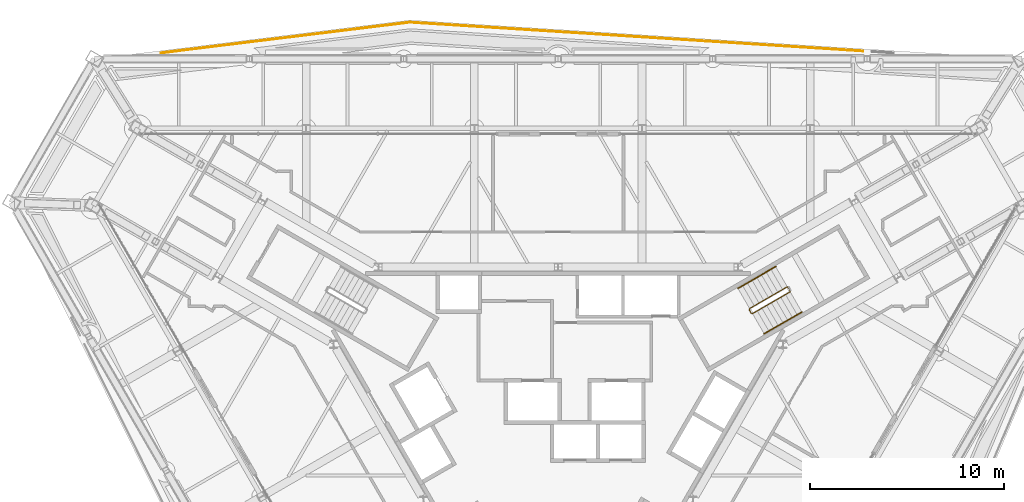
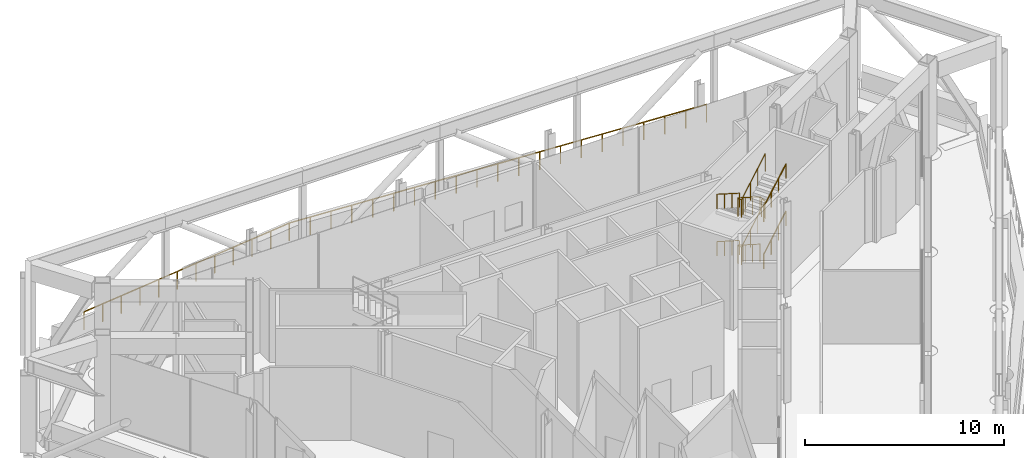
# One storey, part 23 of 24: 6 railings.
"""IFC4 building model written with IfcOpenShell, lengths in metres."""

from ifc_helpers import new_model, si_unit, direction, frame, origin, origin_2d, place, context, subcontext, project, spatial, circle, extrude, material, type_object, element, save


model = new_model("IFC4")

# Units and contexts
model_context = context("Model", 3, precision=1e-05, world=origin(), true_north=direction((0.0, 1.0)))
body_context = subcontext(model_context, "Body", "Model", "MODEL_VIEW")
ifc_project = project(units=[si_unit("LENGTHUNIT", "METRE"), si_unit("AREAUNIT", "SQUARE_METRE"), si_unit("VOLUMEUNIT", "CUBIC_METRE"), si_unit("PLANEANGLEUNIT", "RADIAN"), si_unit("MASSUNIT", "GRAM", prefix="KILO")], contexts=[model_context])

# Site, building, storey
site_placement = place(None, origin())
site = spatial("IfcSite", under=ifc_project, at=site_placement, CompositionType="ELEMENT")
building_placement = place(site_placement, origin())
building = spatial("IfcBuilding", under=site, at=building_placement, Name="Verrane Prism Tower", CompositionType="ELEMENT")
storey_placement = place(building_placement, frame((0.0, 0.0, 200.60009765625)))
storey = spatial("IfcBuildingStorey", under=building, at=storey_placement, Name="L50", CompositionType="ELEMENT", Elevation=200.60009765625)

# Railings
ifc_material_1 = material(Name="Steel A36 rail and posts, no infill", Category="steel")
railing_type_1 = type_object("IfcRailingType", Name="Stair guard 1100 steel rail and posts", PredefinedType="GUARDRAIL", material=ifc_material_1)
railing_1_placement = place(storey_placement, frame((11.78955078125, 6.97998046875, 0.1611328125)))
element("IfcRailing", 1, at=railing_1_placement, inside=storey, type_object=railing_type_1, Name="Stair 1 guard", PredefinedType="GUARDRAIL", context=body_context, shape_type="SweptSolid", body=[
    extrude(circle(Radius=0.02392578125, at=origin_2d()), frame((0.0, 0.0, 1.076171875), z_axis=(-0.750637111348, -0.433415940959, 0.498692840524), x_axis=(0.500030632641, -0.866007717299, 0.0)), (0.0, 0.0, 1.0), 2.58447265625),
    extrude(circle(Radius=0.02392578125, at=origin_2d()), frame((-1.93994140625, -1.1201171875, 2.36474609375), z_axis=(-0.258736085224, -0.965948051503, 0.0), x_axis=(0.965948051503, -0.258736085224, 0.0)), (0.0, 0.0, 1.0), 0.07080078125),
    extrude(circle(Radius=0.02392578125, at=origin_2d()), frame((-1.958251953125, -1.1884765625, 2.36474609375), z_axis=(0.500603037456, -0.865676959893, 0.0), x_axis=(0.865676959893, 0.500603037456, 0.0)), (0.0, 0.0, 1.0), 0.199951171875),
    extrude(circle(Radius=0.02392578125, at=origin_2d()), frame((-1.858154296875, -1.361572265625, 2.36474609375), z_axis=(0.388430221592, -0.104043809355, 0.915585522324), x_axis=(0.258736085224, 0.965948051503, 0.0)), (0.0, 0.0, 1.0), 0.176025390625),
    extrude(circle(Radius=0.02392578125, at=origin_2d()), frame((-1.789794921875, -1.3798828125, 2.52587890625), z_axis=(0.750595867838, 0.433446676103, 0.498728204697), x_axis=(-0.500077830873, 0.865980463445, 0.0)), (0.0, 0.0, 1.0), 2.584228515625),
    extrude(circle(Radius=0.02392578125, at=origin_2d()), frame((0.14990234375, -0.259765625, 3.81494140625), z_axis=(-0.3199613899, 0.947430582667, 0.0), x_axis=(-0.947430582667, -0.3199613899, 0.0)), (0.0, 0.0, 1.0), 0.2548828125),
    extrude(circle(Radius=0.02392578125, at=origin_2d()), frame((0.068359375, -0.018310546875, 3.81494140625), z_axis=(0.499158860599, -0.866510491504, 0.0), x_axis=(0.866510491504, 0.499158860599, 0.0)), (0.0, 0.0, 1.0), 0.199951171875),
    extrude(circle(Radius=0.02392578125, at=origin_2d()), frame((0.168212890625, -0.191650390625, 3.81494140625), z_axis=(-0.557653296868, 0.635352449988, 0.534181677697), x_axis=(-0.751567565678, -0.659656118156, 0.0)), (0.0, 0.0, 1.0), 0.3017578125),
    extrude(circle(Radius=0.02392578125, at=origin_2d()), frame((0.0, 0.0, 3.97607421875), z_axis=(-0.750637111348, -0.433415940959, 0.498692840524), x_axis=(0.500030632641, -0.866007717299, 0.0)), (0.0, 0.0, 1.0), 2.58447265625),
    extrude(circle(Radius=0.02392578125, at=origin_2d()), frame((-1.93994140625, -1.1201171875, 5.2646484375), z_axis=(-0.258736085224, -0.965948051503, 0.0), x_axis=(0.965948051503, -0.258736085224, 0.0)), (0.0, 0.0, 1.0), 0.07080078125),
    extrude(circle(Radius=0.02392578125, at=origin_2d()), frame((-1.958251953125, -1.1884765625, 5.2646484375), z_axis=(0.500603037456, -0.865676959893, 0.0), x_axis=(0.865676959893, 0.500603037456, 0.0)), (0.0, 0.0, 1.0), 0.199951171875),
    extrude(circle(Radius=0.02392578125, at=origin_2d()), frame((-1.858154296875, -1.361572265625, 5.2646484375), z_axis=(0.388430221592, -0.104043809355, 0.915585522324), x_axis=(0.258736085224, 0.965948051503, 0.0)), (0.0, 0.0, 1.0), 0.176025390625),
    extrude(circle(Radius=0.02392578125, at=origin_2d()), frame((-1.789794921875, -1.3798828125, 5.42578125), z_axis=(0.750595867838, 0.433446676103, 0.498728204697), x_axis=(-0.500077830873, 0.865980463445, 0.0)), (0.0, 0.0, 1.0), 2.584228515625),
    extrude(circle(Radius=0.02099609375, at=origin_2d()), origin(), (0.0, 0.0, 1.0), 1.052001953125),
    extrude(circle(Radius=0.02099609375, at=origin_2d()), frame((-0.646728515625, -0.373291015625, 0.4296875)), (0.0, 0.0, 1.0), 1.052001953125),
    extrude(circle(Radius=0.02099609375, at=origin_2d()), frame((-1.293212890625, -0.746826171875, 0.859130859375)), (0.0, 0.0, 1.0), 1.052001953125),
    extrude(circle(Radius=0.02099609375, at=origin_2d()), frame((-1.93994140625, -1.1201171875, 1.288818359375)), (0.0, 0.0, 1.0), 1.052001953125),
    extrude(circle(Radius=0.02099609375, at=origin_2d()), frame((-1.958251953125, -1.1884765625, 1.288818359375)), (0.0, 0.0, 1.0), 1.052001953125),
    extrude(circle(Radius=0.02099609375, at=origin_2d()), frame((-1.858154296875, -1.361572265625, 1.288818359375)), (0.0, 0.0, 1.0), 1.052001953125),
    extrude(circle(Radius=0.02099609375, at=origin_2d()), frame((-1.789794921875, -1.3798828125, 1.449951171875)), (0.0, 0.0, 1.0), 1.052001953125),
    extrude(circle(Radius=0.02099609375, at=origin_2d()), frame((-1.143310546875, -1.006591796875, 1.879638671875)), (0.0, 0.0, 1.0), 1.052001953125),
    extrude(circle(Radius=0.02099609375, at=origin_2d()), frame((-0.49658203125, -0.633056640625, 2.30908203125)), (0.0, 0.0, 1.0), 1.052001953125),
    extrude(circle(Radius=0.02099609375, at=origin_2d()), frame((0.14990234375, -0.259765625, 2.73876953125)), (0.0, 0.0, 1.0), 1.052001953125),
    extrude(circle(Radius=0.02099609375, at=origin_2d()), frame((0.068359375, -0.018310546875, 2.73876953125)), (0.0, 0.0, 1.0), 1.052001953125),
    extrude(circle(Radius=0.02099609375, at=origin_2d()), frame((0.168212890625, -0.191650390625, 2.73876953125)), (0.0, 0.0, 1.0), 1.052001953125),
    extrude(circle(Radius=0.02099609375, at=origin_2d()), frame((0.0, 0.0, 2.89990234375)), (0.0, 0.0, 1.0), 1.052001953125),
    extrude(circle(Radius=0.02099609375, at=origin_2d()), frame((-0.646728515625, -0.373291015625, 3.32958984375)), (0.0, 0.0, 1.0), 1.052001953125),
    extrude(circle(Radius=0.02099609375, at=origin_2d()), frame((-1.293212890625, -0.746826171875, 3.759033203125)), (0.0, 0.0, 1.0), 1.052001953125),
    extrude(circle(Radius=0.02099609375, at=origin_2d()), frame((-1.93994140625, -1.1201171875, 4.188720703125)), (0.0, 0.0, 1.0), 1.052001953125),
    extrude(circle(Radius=0.02099609375, at=origin_2d()), frame((-1.958251953125, -1.1884765625, 4.188720703125)), (0.0, 0.0, 1.0), 1.052001953125),
    extrude(circle(Radius=0.02099609375, at=origin_2d()), frame((-1.858154296875, -1.361572265625, 4.188720703125)), (0.0, 0.0, 1.0), 1.052001953125),
    extrude(circle(Radius=0.02099609375, at=origin_2d()), frame((-1.789794921875, -1.3798828125, 4.349853515625)), (0.0, 0.0, 1.0), 1.052001953125),
    extrude(circle(Radius=0.02099609375, at=origin_2d()), frame((-1.143310546875, -1.006591796875, 4.779541015625)), (0.0, 0.0, 1.0), 1.052001953125),
    extrude(circle(Radius=0.02099609375, at=origin_2d()), frame((-0.49658203125, -0.633056640625, 5.208984375)), (0.0, 0.0, 1.0), 1.052001953125),
    extrude(circle(Radius=0.02099609375, at=origin_2d()), frame((0.14990234375, -0.259765625, 5.638671875)), (0.0, 0.0, 1.0), 1.052001953125),
])
ifc_material_2 = material(Name="Steel A36 tube", Category="steel")
railing_type_2 = type_object("IfcRailingType", Name="Stair handrail 900 steel tube", PredefinedType="HANDRAIL", material=ifc_material_2)
railing_2_placement = place(storey_placement, frame((11.189453125, 8.01904296875, 0.1611328125)))
element("IfcRailing", 2, at=railing_2_placement, inside=storey, type_object=railing_type_2, Name="Stair 1 handrail", PredefinedType="HANDRAIL", context=body_context, shape_type="SweptSolid", body=[
    extrude(circle(Radius=0.02392578125, at=origin_2d()), frame((0.0, 0.0, 0.8759765625), z_axis=(-0.750626602855, -0.433369946796, 0.498748626365), x_axis=(0.49999608499, -0.866027664105, 0.0)), (0.0, 0.0, 1.0), 2.583984375),
    extrude(circle(Radius=0.02099609375, at=origin_2d()), origin(), (0.0, 0.0, 1.0), 0.851806640625),
    extrude(circle(Radius=0.02099609375, at=origin_2d()), frame((-0.646484375, -0.373291015625, 0.4296875)), (0.0, 0.0, 1.0), 0.851806640625),
    extrude(circle(Radius=0.02099609375, at=origin_2d()), frame((-1.293212890625, -0.74658203125, 0.859130859375)), (0.0, 0.0, 1.0), 0.851806640625),
    extrude(circle(Radius=0.02099609375, at=origin_2d()), frame((-1.939697265625, -1.119873046875, 1.288818359375)), (0.0, 0.0, 1.0), 0.851806640625),
])
railing_3_placement = place(storey_placement, frame((10.599609375, 4.560791015625, 1.611083984375)))
element("IfcRailing", 3, at=railing_3_placement, inside=storey, type_object=railing_type_2, Name="Stair 1 handrail", PredefinedType="HANDRAIL", context=body_context, shape_type="SweptSolid", body=[
    extrude(circle(Radius=0.02392578125, at=origin_2d()), frame((0.0, 0.0, 0.8759765625), z_axis=(0.750637111348, 0.433415940959, 0.498692840524), x_axis=(-0.500030632641, 0.866007717299, 0.0)), (0.0, 0.0, 1.0), 2.58447265625),
    extrude(circle(Radius=0.02099609375, at=origin_2d()), origin(), (0.0, 0.0, 1.0), 0.851806640625),
    extrude(circle(Radius=0.02099609375, at=origin_2d()), frame((0.646728515625, 0.373291015625, 0.4296875)), (0.0, 0.0, 1.0), 0.851806640625),
    extrude(circle(Radius=0.02099609375, at=origin_2d()), frame((1.293212890625, 0.746826171875, 0.859130859375)), (0.0, 0.0, 1.0), 0.851806640625),
    extrude(circle(Radius=0.02099609375, at=origin_2d()), frame((1.93994140625, 1.1201171875, 1.288818359375)), (0.0, 0.0, 1.0), 0.851806640625),
])
railing_4_placement = place(storey_placement, frame((11.189453125, 8.01904296875, 3.06103515625)))
element("IfcRailing", 4, at=railing_4_placement, inside=storey, type_object=railing_type_2, Name="Stair 1 handrail", PredefinedType="HANDRAIL", context=body_context, shape_type="SweptSolid", body=[
    extrude(circle(Radius=0.02392578125, at=origin_2d()), frame((0.0, 0.0, 0.8759765625), z_axis=(-0.750626602855, -0.433369946796, 0.498748626365), x_axis=(0.49999608499, -0.866027664105, 0.0)), (0.0, 0.0, 1.0), 2.583984375),
    extrude(circle(Radius=0.02099609375, at=origin_2d()), origin(), (0.0, 0.0, 1.0), 0.851806640625),
    extrude(circle(Radius=0.02099609375, at=origin_2d()), frame((-0.646484375, -0.373291015625, 0.4296875)), (0.0, 0.0, 1.0), 0.851806640625),
    extrude(circle(Radius=0.02099609375, at=origin_2d()), frame((-1.293212890625, -0.74658203125, 0.859130859375)), (0.0, 0.0, 1.0), 0.851806640625),
    extrude(circle(Radius=0.02099609375, at=origin_2d()), frame((-1.939697265625, -1.119873046875, 1.288818359375)), (0.0, 0.0, 1.0), 0.851806640625),
])
railing_5_placement = place(storey_placement, frame((10.599609375, 4.560791015625, 4.510986328125)))
element("IfcRailing", 5, at=railing_5_placement, inside=storey, type_object=railing_type_2, Name="Stair 1 handrail", PredefinedType="HANDRAIL", context=body_context, shape_type="SweptSolid", body=[
    extrude(circle(Radius=0.02392578125, at=origin_2d()), frame((0.0, 0.0, 0.8759765625), z_axis=(0.750637111348, 0.433415940959, 0.498692840524), x_axis=(-0.500030632641, 0.866007717299, 0.0)), (0.0, 0.0, 1.0), 2.58447265625),
    extrude(circle(Radius=0.02099609375, at=origin_2d()), origin(), (0.0, 0.0, 1.0), 0.851806640625),
    extrude(circle(Radius=0.02099609375, at=origin_2d()), frame((0.646728515625, 0.373291015625, 0.4296875)), (0.0, 0.0, 1.0), 0.851806640625),
    extrude(circle(Radius=0.02099609375, at=origin_2d()), frame((1.293212890625, 0.746826171875, 0.859130859375)), (0.0, 0.0, 1.0), 0.851806640625),
    extrude(circle(Radius=0.02099609375, at=origin_2d()), frame((1.93994140625, 1.1201171875, 1.288818359375)), (0.0, 0.0, 1.0), 0.851806640625),
])
ifc_material_3 = material(Name="Stainless steel and laminated glass", Category="steel")
railing_type_3 = type_object("IfcRailingType", Name="Terrace guard 1100", PredefinedType="GUARDRAIL", material=ifc_material_3)
railing_6_placement = place(storey_placement, frame((15.686279296875, 19.108642578125, 0.0)))
element("IfcRailing", 6, at=railing_6_placement, inside=storey, type_object=railing_type_3, Name="Terrace guard L50 2", PredefinedType="GUARDRAIL", context=body_context, shape_type="SweptSolid", body=[
    extrude(circle(Radius=0.02392578125, at=origin_2d()), frame((0.0, 0.0, 1.076171875), z_axis=(-0.997989046881, 0.06338660983, 0.0), x_axis=(-0.06338660983, -0.997989046881, 0.0)), (0.0, 0.0, 1.0), 23.36376953125),
    extrude(circle(Radius=0.02392578125, at=origin_2d()), frame((-23.31689453125, 1.48095703125, 1.076171875), z_axis=(-0.992485378639, -0.122363283658, 0.0), x_axis=(0.122363283658, -0.992485378639, 0.0)), (0.0, 0.0, 1.0), 12.908935546875),
    extrude(circle(Radius=0.02099609375, at=origin_2d()), origin(), (0.0, 0.0, 1.0), 1.052001953125),
    extrude(circle(Radius=0.02099609375, at=origin_2d()), frame((-1.165771484375, 0.073974609375, 0.0)), (0.0, 0.0, 1.0), 1.052001953125),
    extrude(circle(Radius=0.02099609375, at=origin_2d()), frame((-2.331787109375, 0.148193359375, 0.0)), (0.0, 0.0, 1.0), 1.052001953125),
    extrude(circle(Radius=0.02099609375, at=origin_2d()), frame((-3.49755859375, 0.22216796875, 0.0)), (0.0, 0.0, 1.0), 1.052001953125),
    extrude(circle(Radius=0.02099609375, at=origin_2d()), frame((-4.663330078125, 0.296142578125, 0.0)), (0.0, 0.0, 1.0), 1.052001953125),
    extrude(circle(Radius=0.02099609375, at=origin_2d()), frame((-5.8291015625, 0.3701171875, 0.0)), (0.0, 0.0, 1.0), 1.052001953125),
    extrude(circle(Radius=0.02099609375, at=origin_2d()), frame((-6.9951171875, 0.4443359375, 0.0)), (0.0, 0.0, 1.0), 1.052001953125),
    extrude(circle(Radius=0.02099609375, at=origin_2d()), frame((-8.160888671875, 0.518310546875, 0.0)), (0.0, 0.0, 1.0), 1.052001953125),
    extrude(circle(Radius=0.02099609375, at=origin_2d()), frame((-9.32666015625, 0.59228515625, 0.0)), (0.0, 0.0, 1.0), 1.052001953125),
    extrude(circle(Radius=0.02099609375, at=origin_2d()), frame((-10.49267578125, 0.66650390625, 0.0)), (0.0, 0.0, 1.0), 1.052001953125),
    extrude(circle(Radius=0.02099609375, at=origin_2d()), frame((-11.658447265625, 0.740478515625, 0.0)), (0.0, 0.0, 1.0), 1.052001953125),
    extrude(circle(Radius=0.02099609375, at=origin_2d()), frame((-12.82421875, 0.814453125, 0.0)), (0.0, 0.0, 1.0), 1.052001953125),
    extrude(circle(Radius=0.02099609375, at=origin_2d()), frame((-13.990234375, 0.888671875, 0.0)), (0.0, 0.0, 1.0), 1.052001953125),
    extrude(circle(Radius=0.02099609375, at=origin_2d()), frame((-15.156005859375, 0.962646484375, 0.0)), (0.0, 0.0, 1.0), 1.052001953125),
    extrude(circle(Radius=0.02099609375, at=origin_2d()), frame((-16.32177734375, 1.03662109375, 0.0)), (0.0, 0.0, 1.0), 1.052001953125),
    extrude(circle(Radius=0.02099609375, at=origin_2d()), frame((-17.48779296875, 1.11083984375, 0.0)), (0.0, 0.0, 1.0), 1.052001953125),
    extrude(circle(Radius=0.02099609375, at=origin_2d()), frame((-18.653564453125, 1.184814453125, 0.0)), (0.0, 0.0, 1.0), 1.052001953125),
    extrude(circle(Radius=0.02099609375, at=origin_2d()), frame((-19.8193359375, 1.2587890625, 0.0)), (0.0, 0.0, 1.0), 1.052001953125),
    extrude(circle(Radius=0.02099609375, at=origin_2d()), frame((-20.985107421875, 1.332763671875, 0.0)), (0.0, 0.0, 1.0), 1.052001953125),
    extrude(circle(Radius=0.02099609375, at=origin_2d()), frame((-22.151123046875, 1.406982421875, 0.0)), (0.0, 0.0, 1.0), 1.052001953125),
    extrude(circle(Radius=0.02099609375, at=origin_2d()), frame((-23.31689453125, 1.48095703125, 0.0)), (0.0, 0.0, 1.0), 1.052001953125),
    extrude(circle(Radius=0.02099609375, at=origin_2d()), frame((-24.481689453125, 1.33740234375, 0.0)), (0.0, 0.0, 1.0), 1.052001953125),
    extrude(circle(Radius=0.02099609375, at=origin_2d()), frame((-25.646240234375, 1.19384765625, 0.0)), (0.0, 0.0, 1.0), 1.052001953125),
    extrude(circle(Radius=0.02099609375, at=origin_2d()), frame((-26.81103515625, 1.050048828125, 0.0)), (0.0, 0.0, 1.0), 1.052001953125),
    extrude(circle(Radius=0.02099609375, at=origin_2d()), frame((-27.975830078125, 0.906494140625, 0.0)), (0.0, 0.0, 1.0), 1.052001953125),
    extrude(circle(Radius=0.02099609375, at=origin_2d()), frame((-29.140625, 0.762939453125, 0.0)), (0.0, 0.0, 1.0), 1.052001953125),
    extrude(circle(Radius=0.02099609375, at=origin_2d()), frame((-30.30517578125, 0.619384765625, 0.0)), (0.0, 0.0, 1.0), 1.052001953125),
    extrude(circle(Radius=0.02099609375, at=origin_2d()), frame((-31.469970703125, 0.475830078125, 0.0)), (0.0, 0.0, 1.0), 1.052001953125),
    extrude(circle(Radius=0.02099609375, at=origin_2d()), frame((-32.634765625, 0.332275390625, 0.0)), (0.0, 0.0, 1.0), 1.052001953125),
    extrude(circle(Radius=0.02099609375, at=origin_2d()), frame((-33.799560546875, 0.1884765625, 0.0)), (0.0, 0.0, 1.0), 1.052001953125),
    extrude(circle(Radius=0.02099609375, at=origin_2d()), frame((-34.964111328125, 0.044921875, 0.0)), (0.0, 0.0, 1.0), 1.052001953125),
    extrude(circle(Radius=0.02099609375, at=origin_2d()), frame((-36.12890625, -0.0986328125, 0.0)), (0.0, 0.0, 1.0), 1.052001953125),
])

save(model, "model.ifc")
